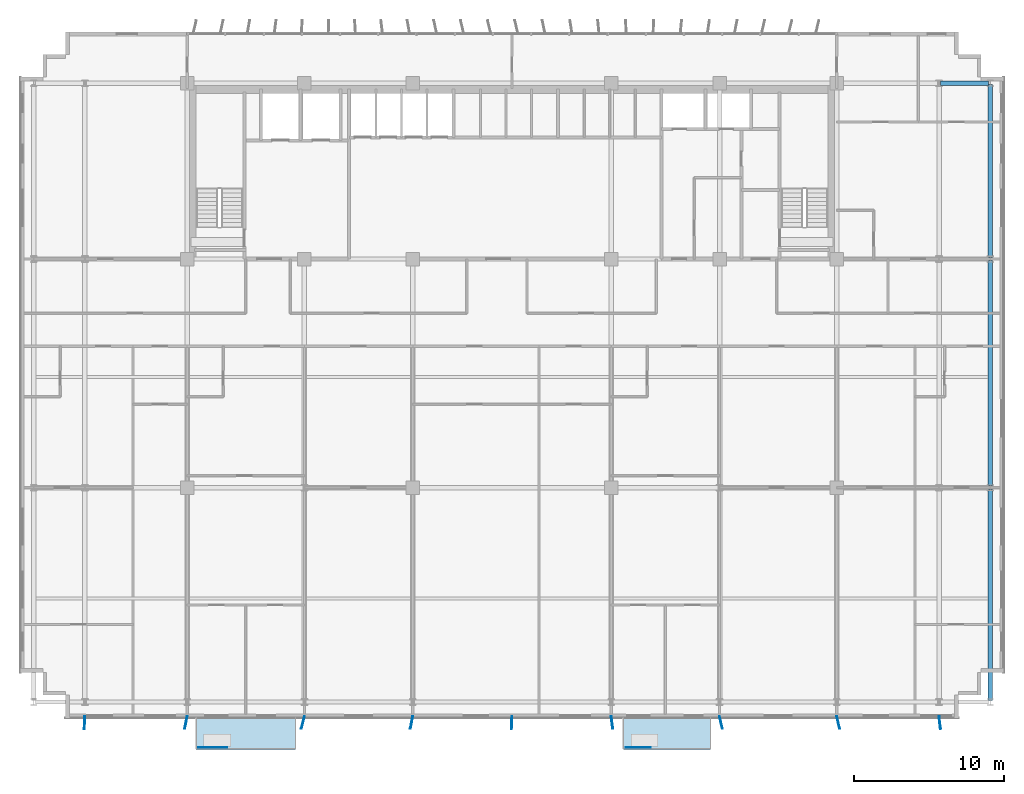
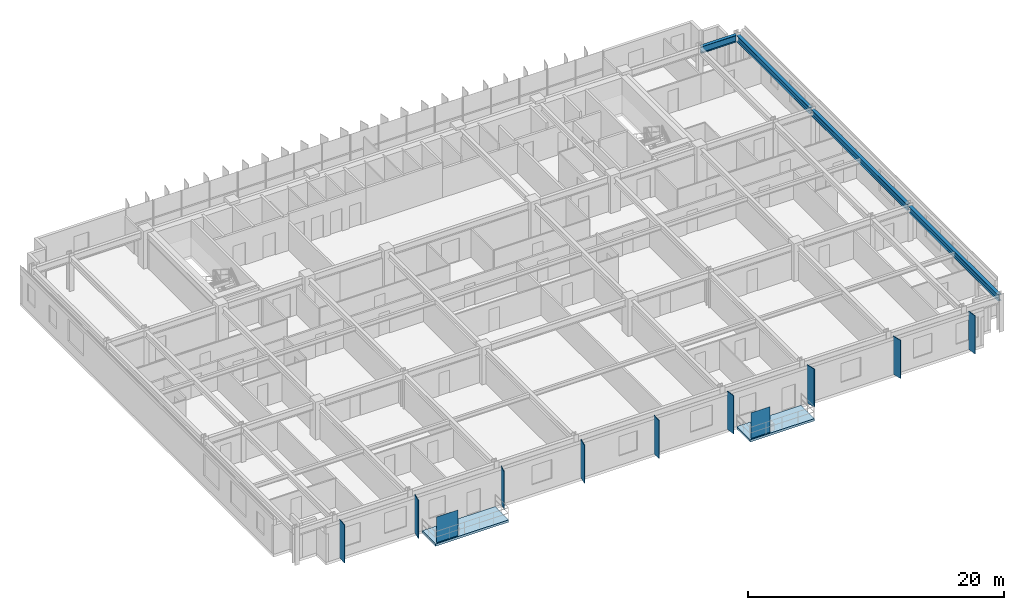
# One storey, part 13 of 22: 11 plates, 4 beams, 2 slabs.
"""IFC4 building model written with IfcOpenShell, lengths in metres."""

from ifc_helpers import new_model, si_unit, direction, frame, origin, origin_2d, place, context, subcontext, project, spatial, polyline, rectangle, i_section, outline, extrude, source, transform, mapped, material, layer, layer_set, material_profile, profile_set, type_object, element, save


model = new_model("IFC4")

# Units and contexts
model_context = context("Model", 3, precision=1e-05, world=origin(), true_north=direction((0.0, 1.0)))
body_context = subcontext(model_context, "Body", "Model", "MODEL_VIEW")
ifc_project = project(units=[si_unit("LENGTHUNIT", "METRE"), si_unit("AREAUNIT", "SQUARE_METRE"), si_unit("VOLUMEUNIT", "CUBIC_METRE"), si_unit("PLANEANGLEUNIT", "RADIAN"), si_unit("MASSUNIT", "GRAM", prefix="KILO")], contexts=[model_context])

# Site, building, storey
site_placement = place(None, origin())
site = spatial("IfcSite", under=ifc_project, at=site_placement, CompositionType="ELEMENT")
building_placement = place(site_placement, origin())
building = spatial("IfcBuilding", under=site, at=building_placement, Name="Trelvane Seafront Commons", CompositionType="ELEMENT")
storey_placement = place(building_placement, frame((0.0, 0.0, 52.300048828125)))
storey = spatial("IfcBuildingStorey", under=building, at=storey_placement, Name="L13", CompositionType="ELEMENT", Elevation=52.300048828125)

# Beams
ifc_material_1 = material(Name="Steel SM355 (S355)", Category="steel")
ifc_material_profile_1 = material_profile(ifc_material_1, i_section(OverallWidth=0.280029296875, OverallDepth=0.64990234375, WebThickness=0.012939453125, FlangeThickness=0.02197265625, at=origin_2d()), Name="H-650x280x13x22")
ifc_profile_set_1 = profile_set([ifc_material_profile_1], Name="Steel SM355 (S355)")
beam_type_1 = type_object("IfcBeamType", Name="STR-BM-H650", PredefinedType="BEAM", material=ifc_profile_set_1)
shared_shape_1 = source(origin(), body_context, "Body", "SweptSolid", [
    extrude(i_section(OverallWidth=0.280029296875, OverallDepth=0.64990234375, WebThickness=0.012939453125, FlangeThickness=0.02197265625, at=origin_2d()), origin(), (0.0, 0.0, 1.0), 3.18994140625),
])
beam_1_placement = place(storey_placement, frame((65.705078125, 45.10009765625, 3.014892578125), z_axis=(1.0, 0.0, 0.0), x_axis=(0.0, 1.0, 0.0)))
element("IfcBeam", 1, at=beam_1_placement, inside=storey, type_object=beam_type_1, Name="L13 Primary Girder G-36", PredefinedType="BEAM", context=body_context, shape_type="MappedRepresentation", body=[
    mapped(shared_shape_1, transform((0.0, 0.0, 0.0), x_axis=(1.0, 0.0, 0.0), y_axis=(0.0, 1.0, 0.0), z_axis=(0.0, 0.0, 1.0), scale=1.0)),
])
ifc_material_profile_2 = material_profile(ifc_material_1, i_section(OverallWidth=0.300048828125, OverallDepth=0.587890625, WebThickness=0.011962890625, FlangeThickness=0.02001953125, at=origin_2d()), Name="H-588x300x12x20")
ifc_profile_set_2 = profile_set([ifc_material_profile_2], Name="Steel SM355 (S355)")
beam_type_2 = type_object("IfcBeamType", Name="STR-BM-H588", PredefinedType="BEAM", material=ifc_profile_set_2)
shared_shape_2 = source(origin(), body_context, "Body", "SweptSolid", [
    extrude(i_section(OverallWidth=0.300048828125, OverallDepth=0.587890625, WebThickness=0.011962890625, FlangeThickness=0.02001953125, at=origin_2d()), origin(), (0.0, 0.0, 1.0), 14.0400390625),
])
beam_2_placement = place(storey_placement, frame((69.0, 4.054931640625, 3.0458984375), z_axis=(0.0, 1.0, 0.0), x_axis=(-1.0, 0.0, 0.0)))
element("IfcBeam", 2, at=beam_2_placement, inside=storey, type_object=beam_type_2, Name="L13 Primary Girder G-64", PredefinedType="BEAM", context=body_context, shape_type="MappedRepresentation", body=[
    mapped(shared_shape_2, transform((0.0, 0.0, 0.0), x_axis=(1.0, 0.0, 0.0), y_axis=(0.0, 1.0, 0.0), z_axis=(0.0, 0.0, 1.0), scale=1.0)),
])
shared_shape_3 = source(origin(), body_context, "Body", "SweptSolid", [
    extrude(i_section(OverallWidth=0.300048828125, OverallDepth=0.587890625, WebThickness=0.011962890625, FlangeThickness=0.02001953125, at=origin_2d()), origin(), (0.0, 0.0, 1.0), 14.989990234375),
])
beam_3_placement = place(storey_placement, frame((69.0, 18.304931640625, 3.0458984375), z_axis=(0.0, 1.0, 0.0), x_axis=(-1.0, 0.0, 0.0)))
element("IfcBeam", 3, at=beam_3_placement, inside=storey, type_object=beam_type_2, Name="L13 Primary Girder G-65", PredefinedType="BEAM", context=body_context, shape_type="MappedRepresentation", body=[
    mapped(shared_shape_3, transform((0.0, 0.0, 0.0), x_axis=(1.0, 0.0, 0.0), y_axis=(0.0, 1.0, 0.0), z_axis=(0.0, 0.0, 1.0), scale=1.0)),
])
shared_shape_4 = source(origin(), body_context, "Body", "SweptSolid", [
    extrude(i_section(OverallWidth=0.300048828125, OverallDepth=0.587890625, WebThickness=0.011962890625, FlangeThickness=0.02001953125, at=origin_2d()), origin(), (0.0, 0.0, 1.0), 11.490234375),
])
beam_4_placement = place(storey_placement, frame((69.0, 33.5048828125, 3.0458984375), z_axis=(0.0, 1.0, 0.0), x_axis=(-1.0, 0.0, 0.0)))
element("IfcBeam", 4, at=beam_4_placement, inside=storey, type_object=beam_type_2, Name="L13 Primary Girder G-66", PredefinedType="BEAM", context=body_context, shape_type="MappedRepresentation", body=[
    mapped(shared_shape_4, transform((0.0, 0.0, 0.0), x_axis=(1.0, 0.0, 0.0), y_axis=(0.0, 1.0, 0.0), z_axis=(0.0, 0.0, 1.0), scale=1.0)),
])

# Slabs
ifc_material_2 = material(Name="Concrete C40/50", Category="concrete")
ifc_layer_1 = layer(ifc_material_2, 0.219970703125, Name="ARCH-BALC-220")
ifc_layer_set_1 = layer_set([ifc_layer_1], Name="Concrete C40/50")
slab_type = type_object("IfcSlabType", Name="ARCH-BALC-220", PredefinedType="FLOOR", material=ifc_layer_set_1)
slab_1_placement = place(storey_placement, frame((0.0, 0.0, -0.219970703125)))
element("IfcSlab", 5, at=slab_1_placement, inside=storey, type_object=slab_type, Name="L13 Cantilevered Tree Balcony Loggia 1", PredefinedType="FLOOR", context=body_context, shape_type="SweptSolid", body=[
    extrude(outline(polyline([(16.199951171875, 0.800048828125), (22.800048828125, 0.800048828125), (22.800048828125, 2.89990234375), (16.199951171875, 2.89990234375), (16.199951171875, 0.800048828125)])), origin(), (0.0, 0.0, 1.0), 0.219970703125),
])
slab_2_placement = place(storey_placement, frame((0.0, 0.0, -0.219970703125)))
element("IfcSlab", 6, at=slab_2_placement, inside=storey, type_object=slab_type, Name="L13 Cantilevered Tree Balcony Loggia 2", PredefinedType="FLOOR", context=body_context, shape_type="SweptSolid", body=[
    extrude(outline(polyline([(44.60009765625, 0.800048828125), (50.39990234375, 0.800048828125), (50.39990234375, 2.89990234375), (44.60009765625, 2.89990234375), (44.60009765625, 0.800048828125)])), origin(), (0.0, 0.0, 1.0), 0.219970703125),
])

# Plates
ifc_material_3 = material(Name="Perforated anodised aluminium screen", Category="aluminium")
ifc_layer_2 = layer(ifc_material_3, 0.01611328125, Name="ARCH-PLATE-SCREEN")
ifc_layer_set_2 = layer_set([ifc_layer_2], Name="Perforated anodised aluminium screen")
plate_type_1 = type_object("IfcPlateType", Name="ARCH-PLATE-SCREEN", PredefinedType="USERDEFINED", material=ifc_layer_set_2)
shared_shape_5 = source(origin(), body_context, "Body", "SweptSolid", [
    extrude(rectangle(XDim=1.9140625, YDim=0.01611328125, at=origin_2d()), origin(), (0.0, 0.0, 1.0), 2.449951171875),
])
plate_1_placement = place(storey_placement, frame((17.306884765625, 0.919921875, 0.0), z_axis=(0.0, 0.0, 1.0), x_axis=(1.0, 0.0, 0.0)))
element("IfcPlate", 7, at=plate_1_placement, inside=storey, type_object=plate_type_1, Name="SCR-L13-00047", ObjectType="SCREEN", PredefinedType="USERDEFINED", context=body_context, shape_type="MappedRepresentation", body=[
    mapped(shared_shape_5, transform((0.0, 0.0, 0.0), x_axis=(1.0, 0.0, 0.0), y_axis=(0.0, 1.0, 0.0), z_axis=(0.0, 0.0, 1.0), scale=1.0)),
])
shared_shape_6 = source(origin(), body_context, "Body", "SweptSolid", [
    extrude(rectangle(XDim=1.681884765625, YDim=0.01611328125, at=origin_2d()), origin(), (0.0, 0.0, 1.0), 2.449951171875),
])
plate_2_placement = place(storey_placement, frame((45.591064453125, 0.919921875, 0.0), z_axis=(0.0, 0.0, 1.0), x_axis=(1.0, 0.0, 0.0)))
element("IfcPlate", 8, at=plate_2_placement, inside=storey, type_object=plate_type_1, Name="SCR-L13-00048", ObjectType="SCREEN", PredefinedType="USERDEFINED", context=body_context, shape_type="MappedRepresentation", body=[
    mapped(shared_shape_6, transform((0.0, 0.0, 0.0), x_axis=(1.0, 0.0, 0.0), y_axis=(0.0, 1.0, 0.0), z_axis=(0.0, 0.0, 1.0), scale=1.0)),
])
ifc_material_4 = material(Name="Anodised pale-silver aluminium", Category="aluminium")
ifc_layer_3 = layer(ifc_material_4, 0.06005859375, Name="ARCH-PLATE-FIN900")
ifc_layer_set_3 = layer_set([ifc_layer_3], Name="Anodised pale-silver aluminium")
plate_type_2 = type_object("IfcPlateType", Name="ARCH-PLATE-FIN900", PredefinedType="USERDEFINED", material=ifc_layer_set_3)
shared_shape_7 = source(origin(), body_context, "Body", "SweptSolid", [
    extrude(rectangle(XDim=0.85009765625, YDim=0.06005859375, at=origin_2d()), origin(), (0.0, 0.0, 1.0), 3.639892578125),
])
for number, where, z_axis, x_axis, name in (
    (9, (8.780517578125, 2.575439453125, -0.02001953125), (0.0, 0.0, 1.0), (-0.045882554672, -0.998946841016, 0.0), "FIN-S-L13-00286"),
    (10, (15.519775390625, 2.582763671875, -0.02001953125), (0.0, 0.0, 1.0), (-0.188598404823, -0.982054296716, 0.0), "FIN-S-L13-00287"),
    (11, (23.297119140625, 2.587646484375, -0.02001953125), (0.0, 0.0, 1.0), (-0.241871090703, -0.970308391947, 0.0), "FIN-S-L13-00288"),
    (12, (30.522216796875, 2.58203125, -0.02001953125), (0.0, 0.0, 1.0), (-0.182932217724, -0.983125527956, 0.0), "FIN-S-L13-00289"),
    (13, (37.184326171875, 2.5751953125, -0.02001953125), (0.0, 0.0, 1.0), (-0.037058814918, -0.999313086193, 0.0), "FIN-S-L13-00290"),
    (14, (43.85400390625, 2.57861328125, -0.02001953125), (0.0, 0.0, 1.0), (0.12682916422, -0.99192457531, 0.0), "FIN-S-L13-00291"),
    (15, (51.09765625, 2.586181640625, -0.02001953125), (0.0, 0.0, 1.0), (0.229642072805, -0.973275150406, 0.0), "FIN-S-L13-00292"),
    (16, (58.895751953125, 2.5859375, -0.02001953125), (0.0, 0.0, 1.0), (0.225280957179, -0.974293841884, 0.0), "FIN-S-L13-00293"),
    (17, (65.649169921875, 2.577880859375, -0.02001953125), (0.0, 0.0, 1.0), (0.11564623003, -0.993290465815, 0.0), "FIN-S-L13-00294"),
):
    element("IfcPlate", number, at=place(storey_placement, frame(where, z_axis=z_axis, x_axis=x_axis)), inside=storey, type_object=plate_type_2, Name=name, ObjectType="FIN", PredefinedType="USERDEFINED", context=body_context, shape_type="MappedRepresentation", body=[
        mapped(shared_shape_7, transform((0.0, 0.0, 0.0), x_axis=(1.0, 0.0, 0.0), y_axis=(0.0, 1.0, 0.0), z_axis=(0.0, 0.0, 1.0), scale=1.0)),
    ])

save(model, "model.ifc")
